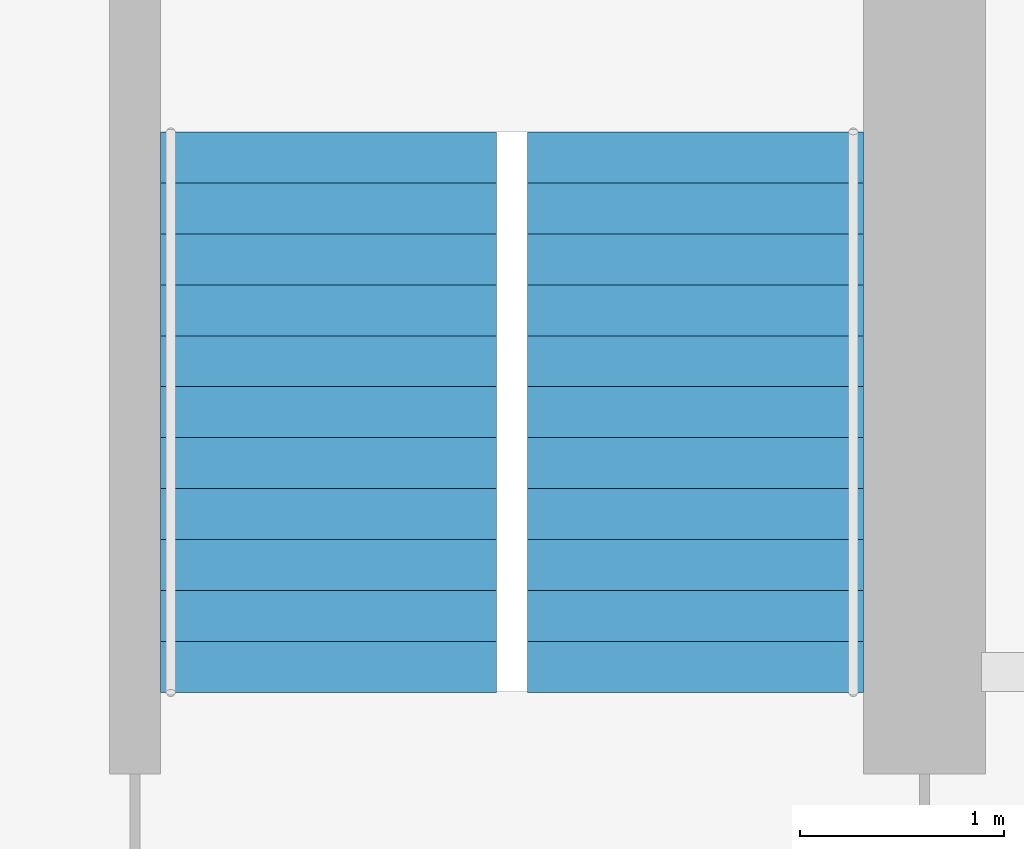
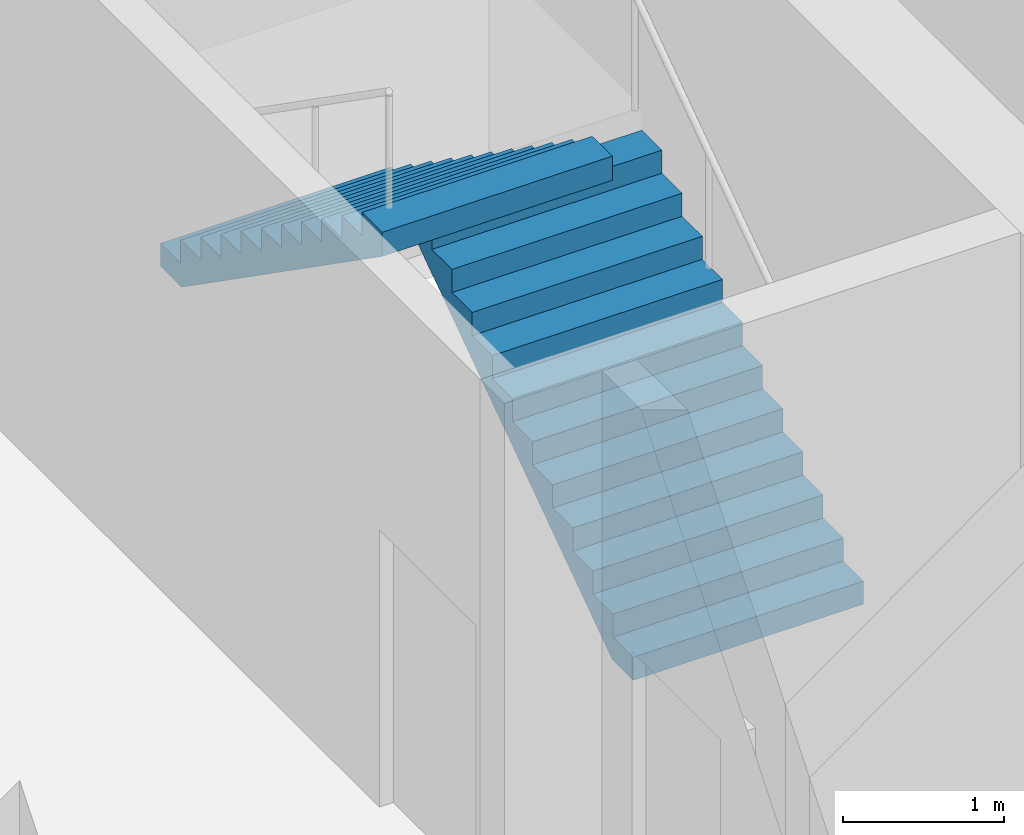
# One storey, part 9 of 11: 2 stair flights, 1 element without a shape of its own.
"""IFC4 building model written with IfcOpenShell, lengths in metres."""

from ifc_helpers import new_model, si_unit, direction, frame, origin, place, context, subcontext, project, spatial, polyline, outline, extrude, material, type_object, element, aggregate, save


model = new_model("IFC4")

# Units and contexts
model_context = context("Model", 3, precision=1e-05, world=origin(), true_north=direction((0.0, 1.0)))
body_context = subcontext(model_context, "Body", "Model", "MODEL_VIEW")
ifc_project = project(units=[si_unit("LENGTHUNIT", "METRE"), si_unit("AREAUNIT", "SQUARE_METRE"), si_unit("VOLUMEUNIT", "CUBIC_METRE"), si_unit("PLANEANGLEUNIT", "RADIAN"), si_unit("MASSUNIT", "GRAM", prefix="KILO")], contexts=[model_context])

# Site, building, storey
site_placement = place(None, origin())
site = spatial("IfcSite", under=ifc_project, at=site_placement, CompositionType="ELEMENT")
building_placement = place(site_placement, origin())
building = spatial("IfcBuilding", under=site, at=building_placement, Name="Ogive Exchange Tower", CompositionType="ELEMENT")
storey_placement = place(building_placement, frame((0.0, 0.0, 247.199951171875)))
storey = spatial("IfcBuildingStorey", under=building, at=storey_placement, Name="L53", CompositionType="ELEMENT", Elevation=247.199951171875)

# Stair, stair flights
ifc_material = material(Name="Concrete C40/50", Category="concrete")
stair_type = type_object("IfcStairType", Name="Exit stair 1650 wide", PredefinedType="HALF_TURN_STAIR", material=ifc_material)
stair_placement = place(storey_placement, origin())
stair = element("IfcStair", 1, at=stair_placement, inside=storey, type_object=stair_type, Name="L53 exit stair ST4", PredefinedType="HALF_TURN_STAIR")
stair_flight_type = type_object("IfcStairFlightType", Name="Stair flight 1650 wide", PredefinedType="STRAIGHT", material=ifc_material)
stair_flight_1_placement = place(storey_placement, frame((20.175048828125, 20.800048828125, 0.0), z_axis=(0.0, 0.0, 1.0), x_axis=(0.0, 1.0, 0.0)))
stair_flight_1 = element("IfcStairFlight", 2, at=stair_flight_1_placement, type_object=stair_flight_type, Name="ST4 flight 1", NumberOfRisers=12, NumberOfTreads=11, PredefinedType="STRAIGHT", RiserHeight=0.175, TreadLength=0.25, context=body_context, shape_type="SweptSolid", body=[
    extrude(outline(polyline([(0.0, 0.0), (0.0, 0.175048828125), (0.25, 0.175048828125), (0.25, 0.35009765625), (0.5, 0.35009765625), (0.5, 0.52490234375), (0.75, 0.52490234375), (0.75, 0.699951171875), (1.0, 0.699951171875), (1.0, 0.875), (1.25, 0.875), (1.25, 1.050048828125), (1.5, 1.050048828125), (1.5, 1.22509765625), (1.75, 1.22509765625), (1.75, 1.39990234375), (2.0, 1.39990234375), (2.0, 1.574951171875), (2.25, 1.574951171875), (2.25, 1.75), (2.5, 1.75), (2.5, 1.925048828125), (2.75, 1.925048828125), (2.75, 2.10009765625), (2.75, 1.741943359375), (0.261474609375, 0.0), (0.0, 0.0)])), frame((0.0, 0.824951171875, 0.0), z_axis=(0.0, -1.0, 0.0), x_axis=(1.0, 0.0, 0.0)), (0.0, 0.0, 1.0), 1.64990234375),
])
stair_flight_2_placement = place(storey_placement, frame((18.375, 23.550048828125, 2.10009765625), z_axis=(0.0, 0.0, 1.0), x_axis=(0.0, -1.0, 0.0)))
stair_flight_2 = element("IfcStairFlight", 3, at=stair_flight_2_placement, type_object=stair_flight_type, Name="ST4 flight 2", NumberOfRisers=12, NumberOfTreads=11, PredefinedType="STRAIGHT", RiserHeight=0.175, TreadLength=0.25, context=body_context, shape_type="SweptSolid", body=[
    extrude(outline(polyline([(0.0, 0.0), (0.0, 0.175048828125), (0.25, 0.175048828125), (0.25, 0.35009765625), (0.5, 0.35009765625), (0.5, 0.52490234375), (0.75, 0.52490234375), (0.75, 0.699951171875), (1.0, 0.699951171875), (1.0, 0.875), (1.25, 0.875), (1.25, 1.050048828125), (1.5, 1.050048828125), (1.5, 1.22509765625), (1.75, 1.22509765625), (1.75, 1.39990234375), (2.0, 1.39990234375), (2.0, 1.574951171875), (2.25, 1.574951171875), (2.25, 1.75), (2.5, 1.75), (2.5, 1.925048828125), (2.75, 1.925048828125), (2.75, 2.10009765625), (2.75, 1.741943359375), (0.261474609375, 0.0), (0.0, 0.0)])), frame((0.0, 0.824951171875, 0.0), z_axis=(0.0, -1.0, 0.0), x_axis=(1.0, 0.0, 0.0)), (0.0, 0.0, 1.0), 1.64990234375),
])
aggregate(stair, [stair_flight_1, stair_flight_2])

save(model, "model.ifc")
